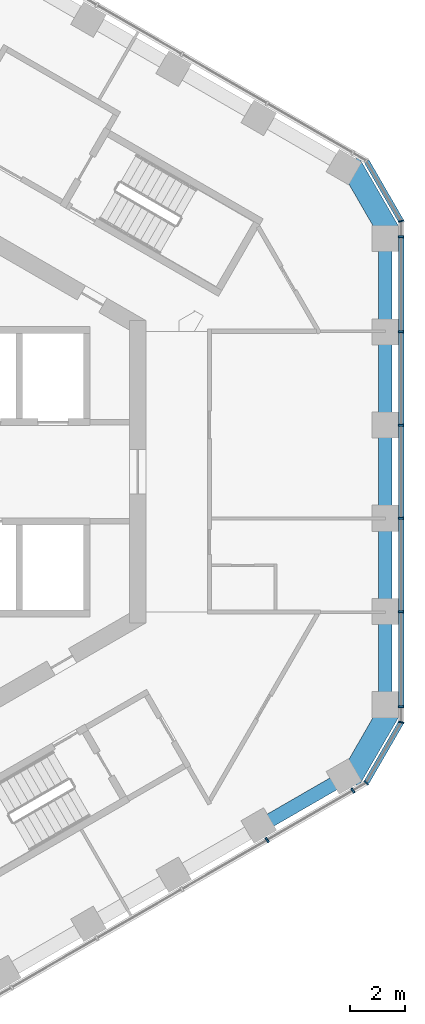
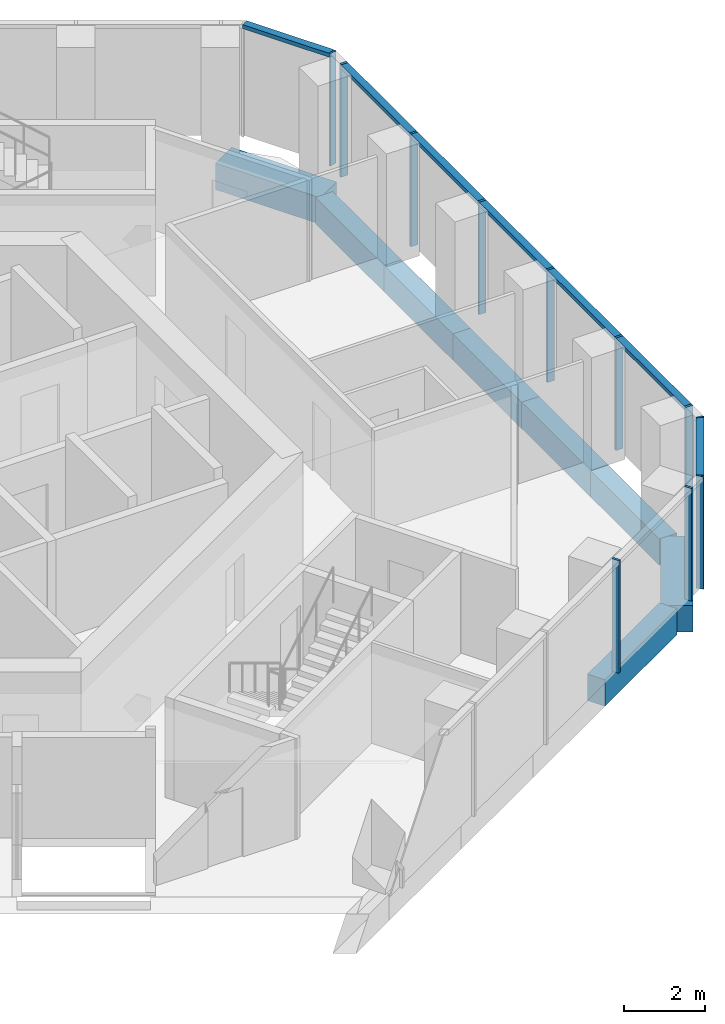
# One storey, part 5 of 18: 14 members, 8 beams, 4 elements without a shape of their own.
"""IFC4 building model written with IfcOpenShell, lengths in metres."""

from ifc_helpers import new_model, si_unit, direction, frame, origin, origin_2d, place, context, subcontext, project, spatial, rectangle, extrude, material, layer, layer_set, material_profile, profile_set, type_object, element, aggregate, save


model = new_model("IFC4")

# Units and contexts
model_context = context("Model", 3, precision=1e-05, world=origin(), true_north=direction((0.0, 1.0)))
body_context = subcontext(model_context, "Body", "Model", "MODEL_VIEW")
ifc_project = project(units=[si_unit("LENGTHUNIT", "METRE"), si_unit("AREAUNIT", "SQUARE_METRE"), si_unit("VOLUMEUNIT", "CUBIC_METRE"), si_unit("PLANEANGLEUNIT", "RADIAN"), si_unit("MASSUNIT", "GRAM", prefix="KILO")], contexts=[model_context])

# Site, building, storey
site_placement = place(None, origin())
site = spatial("IfcSite", under=ifc_project, at=site_placement, CompositionType="ELEMENT")
building_placement = place(site_placement, origin())
building = spatial("IfcBuilding", under=site, at=building_placement, Name="Ayvan Gate Tower", CompositionType="ELEMENT")
storey_placement = place(building_placement, frame((0.0, 0.0, 166.300048828125)))
storey = spatial("IfcBuildingStorey", under=building, at=storey_placement, Name="L44", CompositionType="ELEMENT", Elevation=166.300048828125)

# Beams
ifc_material_1 = material(Name="Concrete C40/50", Category="concrete")
ifc_material_profile_1 = material_profile(ifc_material_1, rectangle(XDim=0.800048828125, YDim=0.800048828125, at=origin_2d()), Name="RC 800x800")
ifc_profile_set_1 = profile_set([ifc_material_profile_1], Name="Concrete C40/50")
beam_type_1 = type_object("IfcBeamType", Name="Corner spandrel beam RC 800x800 C40/50", PredefinedType="BEAM", material=ifc_profile_set_1)
for number, where, z_axis, x_axis, name in (
    (1, (18.376953125, 8.618896484375, -0.75), (-0.499990139034, 0.866031096941, 0.0), (-0.866031096941, -0.499990139034, 0.0), "SB-L44-6"),
    (2, (16.876953125, -11.217041015625, -0.75), (0.499990139034, 0.866031096941, 0.0), (-0.866031096941, 0.499990139034, 0.0), "SB-L44-36"),
):
    element("IfcBeam", number, at=place(storey_placement, frame(where, z_axis=z_axis, x_axis=x_axis)), inside=storey, type_object=beam_type_1, Name=name, PredefinedType="BEAM", context=body_context, shape_type="SweptSolid", body=[
        extrude(rectangle(XDim=0.800048828125, YDim=0.800048828125, at=origin_2d()), origin(), (0.0, 0.0, 1.0), 3.0),
    ])
ifc_material_profile_2 = material_profile(ifc_material_1, rectangle(XDim=0.5, YDim=0.800048828125, at=origin_2d()), Name="RC 500x800")
ifc_profile_set_2 = profile_set([ifc_material_profile_2], Name="Concrete C40/50")
beam_type_2 = type_object("IfcBeamType", Name="Spandrel beam RC 500x800 C40/50", PredefinedType="BEAM", material=ifc_profile_set_2)
for number, where, z_axis, x_axis, name in (
    (3, (18.1865234375, -8.509033203125, -0.75), (0.0, 1.0, 0.0), (-1.0, 0.0, 0.0), "SB-L44-1"),
    (4, (18.1865234375, -5.10546875, -0.75), (0.0, 1.0, 0.0), (-1.0, 0.0, 0.0), "SB-L44-2"),
):
    element("IfcBeam", number, at=place(storey_placement, frame(where, z_axis=z_axis, x_axis=x_axis)), inside=storey, type_object=beam_type_2, Name=name, PredefinedType="BEAM", context=body_context, shape_type="SweptSolid", body=[
        extrude(rectangle(XDim=0.5, YDim=0.800048828125, at=origin_2d()), origin(), (0.0, 0.0, 1.0), 3.403564453125),
    ])
beam_1_placement = place(storey_placement, frame((18.1865234375, -1.701904296875, -0.75), z_axis=(0.0, 1.0, 0.0), x_axis=(-1.0, 0.0, 0.0)))
element("IfcBeam", 5, at=beam_1_placement, inside=storey, type_object=beam_type_2, Name="SB-L44-3", PredefinedType="BEAM", context=body_context, shape_type="SweptSolid", body=[
    extrude(rectangle(XDim=0.5, YDim=0.800048828125, at=origin_2d()), origin(), (0.0, 0.0, 1.0), 3.40380859375),
])
for number, where, z_axis, x_axis, name in (
    (6, (18.1865234375, 1.701904296875, -0.75), (0.0, 1.0, 0.0), (-1.0, 0.0, 0.0), "SB-L44-4"),
    (7, (18.1865234375, 5.10546875, -0.75), (0.0, 1.0, 0.0), (-1.0, 0.0, 0.0), "SB-L44-5"),
):
    element("IfcBeam", number, at=place(storey_placement, frame(where, z_axis=z_axis, x_axis=x_axis)), inside=storey, type_object=beam_type_2, Name=name, PredefinedType="BEAM", context=body_context, shape_type="SweptSolid", body=[
        extrude(rectangle(XDim=0.5, YDim=0.800048828125, at=origin_2d()), origin(), (0.0, 0.0, 1.0), 3.403564453125),
    ])
beam_2_placement = place(storey_placement, frame((13.604248046875, -12.886474609375, -0.75), z_axis=(0.866026804234, 0.499997574342, 0.0), x_axis=(-0.499997574342, 0.866026804234, 0.0)))
element("IfcBeam", 8, at=beam_2_placement, inside=storey, type_object=beam_type_2, Name="SB-L44-35", PredefinedType="BEAM", context=body_context, shape_type="SweptSolid", body=[
    extrude(rectangle(XDim=0.5, YDim=0.800048828125, at=origin_2d()), origin(), (0.0, 0.0, 1.0), 3.55908203125),
])

# Curtain wall, members
ifc_material_2 = material(Name="Bronze anodised aluminium", Category="aluminium")
ifc_layer_1 = layer(ifc_material_2, 0.199951171875)
ifc_layer_set_1 = layer_set([ifc_layer_1], Name="Bronze anodised aluminium")
curtain_wall_type_1 = type_object("IfcCurtainWallType", Name="Stick curtain wall CW-2", PredefinedType="NOTDEFINED", material=ifc_layer_set_1)
curtain_wall_1_placement = place(storey_placement, origin())
curtain_wall_1 = element("IfcCurtainWall", 9, at=curtain_wall_1_placement, inside=storey, type_object=curtain_wall_type_1, Name="Stick curtain wall CW-2 L44", PredefinedType="NOTDEFINED")
ifc_material_profile_3 = material_profile(ifc_material_2, rectangle(XDim=0.199951171875, YDim=0.070068359375, at=origin_2d()), Name="Stick curtain wall CW-2 mullion 200 x 70")
ifc_profile_set_3 = profile_set([ifc_material_profile_3], Name="Bronze anodised aluminium")
member_type_1 = type_object("IfcMemberType", Name="Stick curtain wall CW-2 mullion 200 x 70", PredefinedType="MULLION", material=ifc_profile_set_3)
member_1_placement = place(storey_placement, frame((13.898193359375, -13.36572265625, 0.0), z_axis=(0.0, 0.0, 1.0), x_axis=(0.5, -0.866025403784, 0.0)))
member_1 = element("IfcMember", 10, at=member_1_placement, type_object=member_type_1, Name="CW-2 mullion 5", PredefinedType="MULLION", context=body_context, shape_type="SweptSolid", body=[
    extrude(rectangle(XDim=0.199951171875, YDim=0.070068359375, at=origin_2d()), origin(), (0.0, 0.0, 1.0), 3.39990234375),
])
member_2_placement = place(storey_placement, frame((17.00927734375, -11.569580078125, 0.0), z_axis=(0.0, 0.0, 1.0), x_axis=(0.5, -0.866025403784, 0.0)))
member_2 = element("IfcMember", 11, at=member_2_placement, type_object=member_type_1, Name="CW-2 mullion 6", PredefinedType="MULLION", context=body_context, shape_type="SweptSolid", body=[
    extrude(rectangle(XDim=0.199951171875, YDim=0.070068359375, at=origin_2d()), origin(), (0.0, 0.0, 1.0), 3.39990234375),
])
aggregate(curtain_wall_1, [member_1, member_2])

curtain_wall_2_placement = place(storey_placement, origin())
curtain_wall_2 = element("IfcCurtainWall", 12, at=curtain_wall_2_placement, inside=storey, type_object=curtain_wall_type_1, Name="Stick curtain wall CW-2 L44", PredefinedType="NOTDEFINED")
member_3_placement = place(storey_placement, frame((18.761474609375, -8.534423828125, 0.0), z_axis=(0.0, 0.0, 1.0), x_axis=(1.0, 0.0, 0.0)))
member_3 = element("IfcMember", 13, at=member_3_placement, type_object=member_type_1, Name="CW-2 mullion 1", PredefinedType="MULLION", context=body_context, shape_type="SweptSolid", body=[
    extrude(rectangle(XDim=0.199951171875, YDim=0.070068359375, at=origin_2d()), origin(), (0.0, 0.0, 1.0), 3.39990234375),
])
member_4_placement = place(storey_placement, frame((18.761474609375, -5.075439453125, 0.0), z_axis=(0.0, 0.0, 1.0), x_axis=(1.0, 0.0, 0.0)))
member_4 = element("IfcMember", 14, at=member_4_placement, type_object=member_type_1, Name="CW-2 mullion 2", PredefinedType="MULLION", context=body_context, shape_type="SweptSolid", body=[
    extrude(rectangle(XDim=0.199951171875, YDim=0.070068359375, at=origin_2d()), origin(), (0.0, 0.0, 1.0), 3.39990234375),
])
member_5_placement = place(storey_placement, frame((18.761474609375, -1.691650390625, 0.0), z_axis=(0.0, 0.0, 1.0), x_axis=(1.0, 0.0, 0.0)))
member_5 = element("IfcMember", 15, at=member_5_placement, type_object=member_type_1, Name="CW-2 mullion 3", PredefinedType="MULLION", context=body_context, shape_type="SweptSolid", body=[
    extrude(rectangle(XDim=0.199951171875, YDim=0.070068359375, at=origin_2d()), origin(), (0.0, 0.0, 1.0), 3.39990234375),
])
member_6_placement = place(storey_placement, frame((18.761474609375, 1.69140625, 0.0), z_axis=(0.0, 0.0, 1.0), x_axis=(1.0, 0.0, 0.0)))
member_6 = element("IfcMember", 16, at=member_6_placement, type_object=member_type_1, Name="CW-2 mullion 4", PredefinedType="MULLION", context=body_context, shape_type="SweptSolid", body=[
    extrude(rectangle(XDim=0.199951171875, YDim=0.070068359375, at=origin_2d()), origin(), (0.0, 0.0, 1.0), 3.39990234375),
])
member_7_placement = place(storey_placement, frame((18.761474609375, 5.075439453125, 0.0), z_axis=(0.0, 0.0, 1.0), x_axis=(1.0, 0.0, 0.0)))
member_7 = element("IfcMember", 17, at=member_7_placement, type_object=member_type_1, Name="CW-2 mullion 5", PredefinedType="MULLION", context=body_context, shape_type="SweptSolid", body=[
    extrude(rectangle(XDim=0.199951171875, YDim=0.070068359375, at=origin_2d()), origin(), (0.0, 0.0, 1.0), 3.39990234375),
])
member_8_placement = place(storey_placement, frame((18.761474609375, 8.534423828125, 0.0), z_axis=(0.0, 0.0, 1.0), x_axis=(1.0, 0.0, 0.0)))
member_8 = element("IfcMember", 18, at=member_8_placement, type_object=member_type_1, Name="CW-2 mullion 6", PredefinedType="MULLION", context=body_context, shape_type="SweptSolid", body=[
    extrude(rectangle(XDim=0.199951171875, YDim=0.070068359375, at=origin_2d()), origin(), (0.0, 0.0, 1.0), 3.39990234375),
])
ifc_material_profile_4 = material_profile(ifc_material_2, rectangle(XDim=0.199951171875, YDim=0.1201171875, at=origin_2d()), Name="Stick curtain wall CW-2 transom 200 x 120")
ifc_profile_set_4 = profile_set([ifc_material_profile_4], Name="Bronze anodised aluminium")
member_type_2 = type_object("IfcMemberType", Name="Stick curtain wall CW-2 transom 200 x 120", PredefinedType="USERDEFINED", material=ifc_profile_set_4)
member_9_placement = place(storey_placement, frame((18.761474609375, -8.534423828125, 3.33984375), z_axis=(0.0, 1.0, 0.0), x_axis=(-1.0, 0.0, 0.0)))
member_9 = element("IfcMember", 19, at=member_9_placement, type_object=member_type_2, Name="CW-2 transom 1", ObjectType="TRANSOM", PredefinedType="USERDEFINED", context=body_context, shape_type="SweptSolid", body=[
    extrude(rectangle(XDim=0.199951171875, YDim=0.1201171875, at=origin_2d()), origin(), (0.0, 0.0, 1.0), 17.06884765625),
])
aggregate(curtain_wall_2, [member_3, member_4, member_5, member_6, member_7, member_8, member_9])

ifc_layer_2 = layer(ifc_material_2, 0.199951171875)
ifc_layer_set_2 = layer_set([ifc_layer_2], Name="Bronze anodised aluminium")
curtain_wall_type_2 = type_object("IfcCurtainWallType", Name="Stick curtain wall CW-6", PredefinedType="NOTDEFINED", material=ifc_layer_set_2)
curtain_wall_3_placement = place(storey_placement, origin())
curtain_wall_3 = element("IfcCurtainWall", 20, at=curtain_wall_3_placement, inside=storey, type_object=curtain_wall_type_2, Name="Stick curtain wall CW-6 L44", PredefinedType="NOTDEFINED")
ifc_material_profile_5 = material_profile(ifc_material_2, rectangle(XDim=0.199951171875, YDim=0.050048828125, at=origin_2d()), Name="Stick curtain wall CW-6 mullion 200 x 50")
ifc_profile_set_5 = profile_set([ifc_material_profile_5], Name="Bronze anodised aluminium")
member_type_3 = type_object("IfcMemberType", Name="Stick curtain wall CW-6 mullion 200 x 50", PredefinedType="MULLION", material=ifc_profile_set_5)
member_10_placement = place(storey_placement, frame((17.494140625, -11.28955078125, 0.0), z_axis=(0.0, 0.0, 1.0), x_axis=(0.707106781187, -0.707106781187, 0.0)))
member_10 = element("IfcMember", 21, at=member_10_placement, type_object=member_type_3, Name="CW-6 mullion 2", PredefinedType="MULLION", context=body_context, shape_type="SweptSolid", body=[
    extrude(rectangle(XDim=0.199951171875, YDim=0.050048828125, at=origin_2d()), origin(), (0.0, 0.0, 1.0), 3.39990234375),
])
member_11_placement = place(storey_placement, frame((18.761474609375, -9.094482421875, 0.0), z_axis=(0.0, 0.0, 1.0), x_axis=(0.965925826289, -0.258819045103, 0.0)))
member_11 = element("IfcMember", 22, at=member_11_placement, type_object=member_type_3, Name="CW-6 mullion 3", PredefinedType="MULLION", context=body_context, shape_type="SweptSolid", body=[
    extrude(rectangle(XDim=0.199951171875, YDim=0.050048828125, at=origin_2d()), origin(), (0.0, 0.0, 1.0), 3.39990234375),
])

# Curtain wall, member
curtain_wall_4_placement = place(storey_placement, origin())
curtain_wall_4 = element("IfcCurtainWall", 23, at=curtain_wall_4_placement, inside=storey, type_object=curtain_wall_type_2, Name="Stick curtain wall CW-6 L44", PredefinedType="NOTDEFINED")
member_12_placement = place(storey_placement, frame((18.761474609375, 9.094482421875, 0.0), z_axis=(0.0, 0.0, 1.0), x_axis=(0.965925826289, 0.258819045103, 0.0)))
member_12 = element("IfcMember", 24, at=member_12_placement, type_object=member_type_3, Name="CW-6 mullion 2", PredefinedType="MULLION", context=body_context, shape_type="SweptSolid", body=[
    extrude(rectangle(XDim=0.199951171875, YDim=0.050048828125, at=origin_2d()), origin(), (0.0, 0.0, 1.0), 3.39990234375),
])

# Member
ifc_material_profile_6 = material_profile(ifc_material_2, rectangle(XDim=0.199951171875, YDim=0.1201171875, at=origin_2d()), Name="Stick curtain wall CW-6 transom 200 x 120")
ifc_profile_set_6 = profile_set([ifc_material_profile_6], Name="Bronze anodised aluminium")
member_type_4 = type_object("IfcMemberType", Name="Stick curtain wall CW-6 transom 200 x 120", PredefinedType="USERDEFINED", material=ifc_profile_set_6)
member_13_placement = place(storey_placement, frame((17.5068359375, -11.267822265625, 3.33984375), z_axis=(0.499986149909, 0.86603339999, 0.0), x_axis=(-0.86603339999, 0.499986149909, 0.0)))
member_13 = element("IfcMember", 25, at=member_13_placement, type_object=member_type_4, Name="CW-6 transom 2", ObjectType="TRANSOM", PredefinedType="USERDEFINED", context=body_context, shape_type="SweptSolid", body=[
    extrude(rectangle(XDim=0.199951171875, YDim=0.1201171875, at=origin_2d()), origin(), (0.0, 0.0, 1.0), 2.484375),
])

aggregate(curtain_wall_3, [member_10, member_11, member_13])

member_14_placement = place(storey_placement, frame((18.7490234375, 9.1162109375, 3.33984375), z_axis=(-0.499986149909, 0.86603339999, 0.0), x_axis=(-0.86603339999, -0.499986149909, 0.0)))
member_14 = element("IfcMember", 26, at=member_14_placement, type_object=member_type_4, Name="CW-6 transom 2", ObjectType="TRANSOM", PredefinedType="USERDEFINED", context=body_context, shape_type="SweptSolid", body=[
    extrude(rectangle(XDim=0.199951171875, YDim=0.1201171875, at=origin_2d()), origin(), (0.0, 0.0, 1.0), 2.484375),
])

aggregate(curtain_wall_4, [member_12, member_14])

save(model, "model.ifc")
